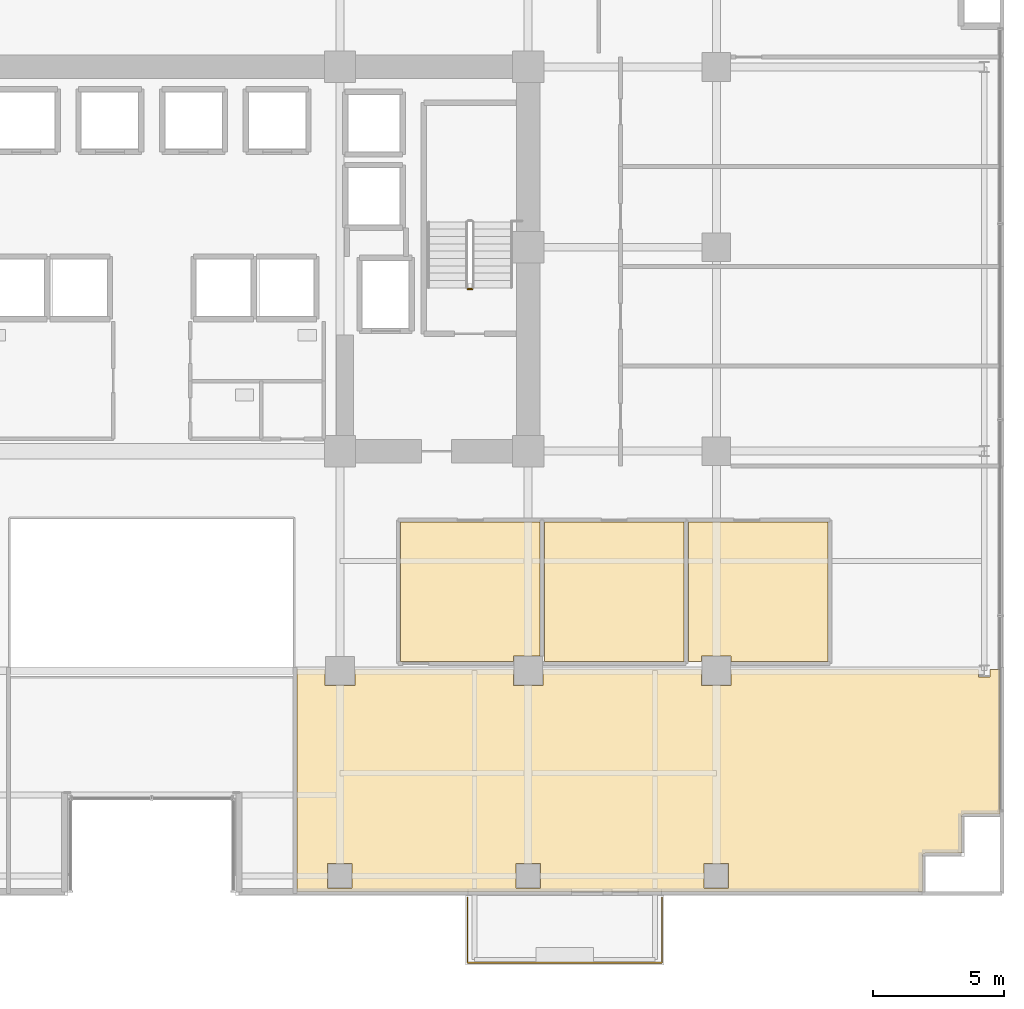
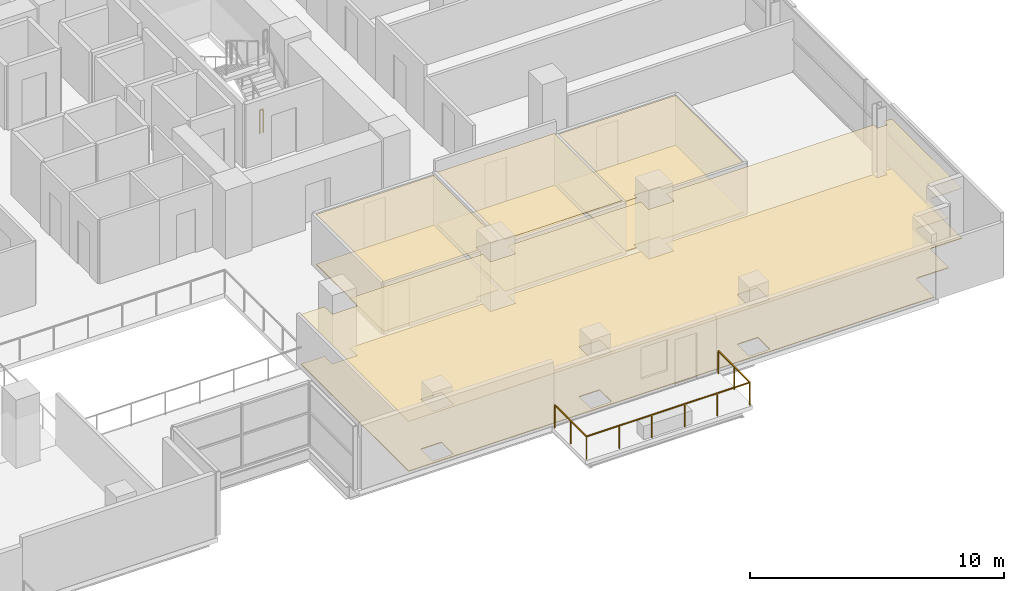
# One storey, part 30 of 32: 8 coverings, 2 railings.
"""IFC4 building model written with IfcOpenShell, lengths in metres."""

from ifc_helpers import new_model, si_unit, direction, frame, origin, origin_2d, place, context, subcontext, project, spatial, polyline, rectangle, outline, extrude, material, layer, layer_set, type_object, element, save


model = new_model("IFC4")

# Units and contexts
model_context = context("Model", 3, precision=1e-05, world=origin(), true_north=direction((0.0, 1.0)))
body_context = subcontext(model_context, "Body", "Model", "MODEL_VIEW")
ifc_project = project(units=[si_unit("LENGTHUNIT", "METRE"), si_unit("AREAUNIT", "SQUARE_METRE"), si_unit("VOLUMEUNIT", "CUBIC_METRE"), si_unit("PLANEANGLEUNIT", "RADIAN"), si_unit("MASSUNIT", "GRAM", prefix="KILO")], contexts=[model_context])

# Site, building, storey
site_placement = place(None, origin())
site = spatial("IfcSite", under=ifc_project, at=site_placement, CompositionType="ELEMENT")
building_placement = place(site_placement, origin())
building = spatial("IfcBuilding", under=site, at=building_placement, Name="Zarnakvel Exchange Tower", CompositionType="ELEMENT")
storey_placement = place(building_placement, frame((0.0, 0.0, 73.60009765625)))
storey = spatial("IfcBuildingStorey", under=building, at=storey_placement, Name="L20", CompositionType="ELEMENT", Elevation=73.60009765625)

# Coverings
ifc_material_1 = material(Name="Perforated Bronze Acoustic Metal Ceiling", Category="aluminium")
ifc_layer_1 = layer(ifc_material_1, 0.02001953125)
ifc_layer_set_1 = layer_set([ifc_layer_1], Name="Perforated Bronze Acoustic Metal Ceiling")
covering_type_1 = type_object("IfcCoveringType", Name="CLG-01", PredefinedType="CEILING", material=ifc_layer_set_1)
covering_1_placement = place(storey_placement, frame((0.0, 0.0, 2.40478515625)))
element("IfcCovering", 1, at=covering_1_placement, inside=storey, type_object=covering_type_1, Name="L20 Suspended Acoustic Ceiling (Boardroom)", PredefinedType="CEILING", context=body_context, shape_type="SweptSolid", body=[
    extrude(outline(polyline([(9.510009765625, -3.909912109375), (14.857666015625, -3.909912109375), (14.857666015625, -9.030029296875), (13.830078125, -9.030029296875), (13.830078125, -9.239990234375), (9.510009765625, -9.239990234375), (9.510009765625, -3.909912109375)])), origin(), (0.0, 0.0, 1.0), 0.02001953125),
])
covering_2_placement = place(storey_placement, frame((0.0, 0.0, 2.5048828125)))
element("IfcCovering", 2, at=covering_2_placement, inside=storey, type_object=covering_type_1, Name="L20 Suspended Acoustic Ceiling (Conference Room)", PredefinedType="CEILING", context=body_context, shape_type="SweptSolid", body=[
    extrude(outline(polyline([(15.017578125, -3.909912109375), (20.365234375, -3.909912109375), (20.365234375, -9.239990234375), (15.017578125, -9.239990234375), (15.017578125, -3.909912109375)])), origin(), (0.0, 0.0, 1.0), 0.02001953125),
])
covering_3_placement = place(storey_placement, frame((0.0, 0.0, 2.40478515625)))
element("IfcCovering", 3, at=covering_3_placement, inside=storey, type_object=covering_type_1, Name="L20 Suspended Acoustic Ceiling (Executive Pantry)", PredefinedType="CEILING", context=body_context, shape_type="SweptSolid", body=[
    extrude(outline(polyline([(20.525146484375, -3.909912109375), (25.872802734375, -3.909912109375), (25.872802734375, -9.239990234375), (22.169921875, -9.239990234375), (22.169921875, -9.030029296875), (21.030029296875, -9.030029296875), (21.030029296875, -9.239990234375), (20.525146484375, -9.239990234375), (20.525146484375, -3.909912109375)])), origin(), (0.0, 0.0, 1.0), 0.02001953125),
])
covering_4_placement = place(storey_placement, frame((0.0, 0.0, 2.40478515625)))
element("IfcCovering", 4, at=covering_4_placement, inside=storey, type_object=covering_type_1, Name="L20 Suspended Acoustic Ceiling (Corporate Advisory Suite)", PredefinedType="CEILING", context=body_context, shape_type="SweptSolid", body=[
    extrude(outline(polyline([(5.56005859375, -9.56005859375), (6.6298828125, -9.56005859375), (6.6298828125, -10.169921875), (7.77001953125, -10.169921875), (7.77001953125, -9.56005859375), (13.830078125, -9.56005859375), (13.830078125, -10.169921875), (14.969970703125, -10.169921875), (14.969970703125, -9.56005859375), (21.030029296875, -9.56005859375), (21.030029296875, -10.169921875), (22.169921875, -10.169921875), (22.169921875, -9.56005859375), (31.6240234375, -9.56005859375), (31.6240234375, -9.83251953125), (32.075927734375, -9.83251953125), (32.075927734375, -9.56005859375), (32.449951171875, -9.56005859375), (32.449951171875, -15.080078125), (31.10009765625, -15.080078125), (31.088134765625, -15.08056640625), (31.07666015625, -15.082275390625), (31.065185546875, -15.085205078125), (31.05419921875, -15.089111328125), (31.04345703125, -15.09423828125), (31.033447265625, -15.100341796875), (31.02392578125, -15.107177734375), (31.01513671875, -15.115234375), (31.00732421875, -15.123779296875), (31.000244140625, -15.13330078125), (30.994140625, -15.143310546875), (30.989013671875, -15.154052734375), (30.985107421875, -15.165283203125), (30.982421875, -15.176513671875), (30.98046875, -15.188232421875), (30.97998046875, -15.199951171875), (30.97998046875, -16.580078125), (29.60009765625, -16.580078125), (29.588134765625, -16.58056640625), (29.57666015625, -16.582275390625), (29.565185546875, -16.585205078125), (29.55419921875, -16.589111328125), (29.54345703125, -16.59423828125), (29.533447265625, -16.600341796875), (29.52392578125, -16.607177734375), (29.51513671875, -16.615234375), (29.50732421875, -16.623779296875), (29.500244140625, -16.63330078125), (29.494140625, -16.643310546875), (29.489013671875, -16.654052734375), (29.485107421875, -16.665283203125), (29.482421875, -16.676513671875), (29.48046875, -16.688232421875), (29.47998046875, -16.699951171875), (29.47998046875, -18.050048828125), (5.56005859375, -18.050048828125), (5.56005859375, -9.56005859375)]), holes=[polyline([(22.070068359375, -17.919921875), (22.070068359375, -16.97998046875), (21.1298828125, -16.97998046875), (21.1298828125, -17.919921875), (22.070068359375, -17.919921875)]), polyline([(14.8701171875, -17.919921875), (14.8701171875, -16.97998046875), (13.929931640625, -16.97998046875), (13.929931640625, -17.919921875), (14.8701171875, -17.919921875)]), polyline([(7.669921875, -17.919921875), (7.669921875, -16.97998046875), (6.72998046875, -16.97998046875), (6.72998046875, -17.919921875), (7.669921875, -17.919921875)])]), origin(), (0.0, 0.0, 1.0), 0.02001953125),
])
ifc_material_2 = material(Name="Heavy-Duty Raised Access Floor Panel", Category="steel")
ifc_layer_2 = layer(ifc_material_2, 0.034912109375)
ifc_layer_set_2 = layer_set([ifc_layer_2], Name="Heavy-Duty Raised Access Floor Panel")
covering_type_2 = type_object("IfcCoveringType", Name="FLR-02", PredefinedType="FLOORING", material=ifc_layer_set_2)
covering_5_placement = place(storey_placement, origin())
element("IfcCovering", 5, at=covering_5_placement, inside=storey, type_object=covering_type_2, Name="L20 Floor Finish (Boardroom)", PredefinedType="FLOORING", context=body_context, shape_type="SweptSolid", body=[
    extrude(outline(polyline([(9.510009765625, -3.909912109375), (14.857666015625, -3.909912109375), (14.857666015625, -9.030029296875), (13.830078125, -9.030029296875), (13.830078125, -9.239990234375), (9.510009765625, -9.239990234375), (9.510009765625, -3.909912109375)])), origin(), (0.0, 0.0, 1.0), 0.034912109375),
])
covering_6_placement = place(storey_placement, origin())
element("IfcCovering", 6, at=covering_6_placement, inside=storey, type_object=covering_type_2, Name="L20 Floor Finish (Conference Room)", PredefinedType="FLOORING", context=body_context, shape_type="SweptSolid", body=[
    extrude(outline(polyline([(15.017578125, -3.909912109375), (20.365234375, -3.909912109375), (20.365234375, -9.239990234375), (15.017578125, -9.239990234375), (15.017578125, -3.909912109375)])), origin(), (0.0, 0.0, 1.0), 0.034912109375),
])
covering_7_placement = place(storey_placement, origin())
element("IfcCovering", 7, at=covering_7_placement, inside=storey, type_object=covering_type_2, Name="L20 Floor Finish (Executive Pantry)", PredefinedType="FLOORING", context=body_context, shape_type="SweptSolid", body=[
    extrude(outline(polyline([(20.525146484375, -3.909912109375), (25.872802734375, -3.909912109375), (25.872802734375, -9.239990234375), (22.169921875, -9.239990234375), (22.169921875, -9.030029296875), (21.030029296875, -9.030029296875), (21.030029296875, -9.239990234375), (20.525146484375, -9.239990234375), (20.525146484375, -3.909912109375)])), origin(), (0.0, 0.0, 1.0), 0.034912109375),
])
covering_8_placement = place(storey_placement, origin())
element("IfcCovering", 8, at=covering_8_placement, inside=storey, type_object=covering_type_2, Name="L20 Floor Finish (Corporate Advisory Suite)", PredefinedType="FLOORING", context=body_context, shape_type="SweptSolid", body=[
    extrude(outline(polyline([(5.56005859375, -9.56005859375), (6.6298828125, -9.56005859375), (6.6298828125, -10.169921875), (7.77001953125, -10.169921875), (7.77001953125, -9.56005859375), (13.830078125, -9.56005859375), (13.830078125, -10.169921875), (14.969970703125, -10.169921875), (14.969970703125, -9.56005859375), (21.030029296875, -9.56005859375), (21.030029296875, -10.169921875), (22.169921875, -10.169921875), (22.169921875, -9.56005859375), (31.6240234375, -9.56005859375), (31.6240234375, -9.83251953125), (32.075927734375, -9.83251953125), (32.075927734375, -9.56005859375), (32.449951171875, -9.56005859375), (32.449951171875, -15.080078125), (31.10009765625, -15.080078125), (31.088134765625, -15.08056640625), (31.07666015625, -15.082275390625), (31.065185546875, -15.085205078125), (31.05419921875, -15.089111328125), (31.04345703125, -15.09423828125), (31.033447265625, -15.100341796875), (31.02392578125, -15.107177734375), (31.01513671875, -15.115234375), (31.00732421875, -15.123779296875), (31.000244140625, -15.13330078125), (30.994140625, -15.143310546875), (30.989013671875, -15.154052734375), (30.985107421875, -15.165283203125), (30.982421875, -15.176513671875), (30.98046875, -15.188232421875), (30.97998046875, -15.199951171875), (30.97998046875, -16.580078125), (29.60009765625, -16.580078125), (29.588134765625, -16.58056640625), (29.57666015625, -16.582275390625), (29.565185546875, -16.585205078125), (29.55419921875, -16.589111328125), (29.54345703125, -16.59423828125), (29.533447265625, -16.600341796875), (29.52392578125, -16.607177734375), (29.51513671875, -16.615234375), (29.50732421875, -16.623779296875), (29.500244140625, -16.63330078125), (29.494140625, -16.643310546875), (29.489013671875, -16.654052734375), (29.485107421875, -16.665283203125), (29.482421875, -16.676513671875), (29.48046875, -16.688232421875), (29.47998046875, -16.699951171875), (29.47998046875, -18.050048828125), (5.56005859375, -18.050048828125), (5.56005859375, -9.56005859375)]), holes=[polyline([(22.070068359375, -17.919921875), (22.070068359375, -16.97998046875), (21.1298828125, -16.97998046875), (21.1298828125, -17.919921875), (22.070068359375, -17.919921875)]), polyline([(14.8701171875, -17.919921875), (14.8701171875, -16.97998046875), (13.929931640625, -16.97998046875), (13.929931640625, -17.919921875), (14.8701171875, -17.919921875)]), polyline([(7.669921875, -17.919921875), (7.669921875, -16.97998046875), (6.72998046875, -16.97998046875), (6.72998046875, -17.919921875), (7.669921875, -17.919921875)])]), origin(), (0.0, 0.0, 1.0), 0.034912109375),
])

# Railings
ifc_material_3 = material(Name="Architectural Bronze Anodised Aluminium", Category="aluminium")
railing_type_1 = type_object("IfcRailingType", Name="GR-02", PredefinedType="GUARDRAIL", material=ifc_material_3)
railing_1_placement = place(storey_placement, frame((12.080078125, -18.280029296875, -0.03515625)))
element("IfcRailing", 9, at=railing_1_placement, inside=storey, type_object=railing_type_1, Name="L20 Balcony Guardrail BAL-L20-SE", PredefinedType="GUARDRAIL", context=body_context, shape_type="SweptSolid", body=[
    extrude(rectangle(XDim=0.048095703125, YDim=0.048095703125, at=origin_2d()), frame((0.0, 0.0, 1.09619140625), z_axis=(0.0, -1.0, 0.0), x_axis=(1.0, 0.0, 0.0)), (0.0, 0.0, 1.0), 2.489990234375),
    extrude(rectangle(XDim=0.048095703125, YDim=0.048095703125, at=origin_2d()), frame((0.0, -2.489990234375, 1.09619140625), z_axis=(1.0, 0.0, 0.0), x_axis=(0.0, 1.0, 0.0)), (0.0, 0.0, 1.0), 7.43994140625),
    extrude(rectangle(XDim=0.048095703125, YDim=0.048095703125, at=origin_2d()), frame((7.43994140625, -2.489990234375, 1.09619140625), z_axis=(0.0, 1.0, 0.0), x_axis=(-1.0, 0.0, 0.0)), (0.0, 0.0, 1.0), 2.489990234375),
    extrude(rectangle(XDim=0.0419921875, YDim=0.0419921875, at=origin_2d()), origin(), (0.0, 0.0, 1.0), 1.072021484375),
    extrude(rectangle(XDim=0.0419921875, YDim=0.0419921875, at=origin_2d()), frame((0.0, -1.2451171875, 0.0)), (0.0, 0.0, 1.0), 1.072021484375),
    extrude(rectangle(XDim=0.0419921875, YDim=0.0419921875, at=origin_2d()), frame((0.0, -2.489990234375, 0.0)), (0.0, 0.0, 1.0), 1.072021484375),
    extrude(rectangle(XDim=0.0419921875, YDim=0.0419921875, at=origin_2d()), frame((1.488037109375, -2.489990234375, 0.0)), (0.0, 0.0, 1.0), 1.072021484375),
    extrude(rectangle(XDim=0.0419921875, YDim=0.0419921875, at=origin_2d()), frame((2.97607421875, -2.489990234375, 0.0)), (0.0, 0.0, 1.0), 1.072021484375),
    extrude(rectangle(XDim=0.0419921875, YDim=0.0419921875, at=origin_2d()), frame((4.4638671875, -2.489990234375, 0.0)), (0.0, 0.0, 1.0), 1.072021484375),
    extrude(rectangle(XDim=0.0419921875, YDim=0.0419921875, at=origin_2d()), frame((5.951904296875, -2.489990234375, 0.0)), (0.0, 0.0, 1.0), 1.072021484375),
    extrude(rectangle(XDim=0.0419921875, YDim=0.0419921875, at=origin_2d()), frame((7.43994140625, -2.489990234375, 0.0)), (0.0, 0.0, 1.0), 1.072021484375),
    extrude(rectangle(XDim=0.0419921875, YDim=0.0419921875, at=origin_2d()), frame((7.43994140625, -1.2451171875, 0.0)), (0.0, 0.0, 1.0), 1.072021484375),
    extrude(rectangle(XDim=0.0419921875, YDim=0.0419921875, at=origin_2d()), frame((7.43994140625, 0.0, 0.0)), (0.0, 0.0, 1.0), 1.072021484375),
])
railing_type_2 = type_object("IfcRailingType", Name="SG-01", PredefinedType="GUARDRAIL", material=ifc_material_3)
railing_2_placement = place(storey_placement, frame((12.25, 5.0, 0.0)))
element("IfcRailing", 10, at=railing_2_placement, inside=storey, type_object=railing_type_2, Name="L20 ST-02 stair guard 4", PredefinedType="GUARDRAIL", context=body_context, shape_type="SweptSolid", body=[
    extrude(rectangle(XDim=0.048095703125, YDim=0.048095703125, at=origin_2d()), frame((0.0, 0.0, 1.1259765625), z_axis=(-1.0, 0.0, 0.0), x_axis=(0.0, -1.0, 0.0)), (0.0, 0.0, 1.0), 0.159912109375),
    extrude(rectangle(XDim=0.0419921875, YDim=0.0419921875, at=origin_2d()), origin(), (0.0, 0.0, 1.0), 1.101806640625),
    extrude(rectangle(XDim=0.0419921875, YDim=0.0419921875, at=origin_2d()), frame((-0.159912109375, 0.0, 0.0)), (0.0, 0.0, 1.0), 1.101806640625),
])

save(model, "model.ifc")
